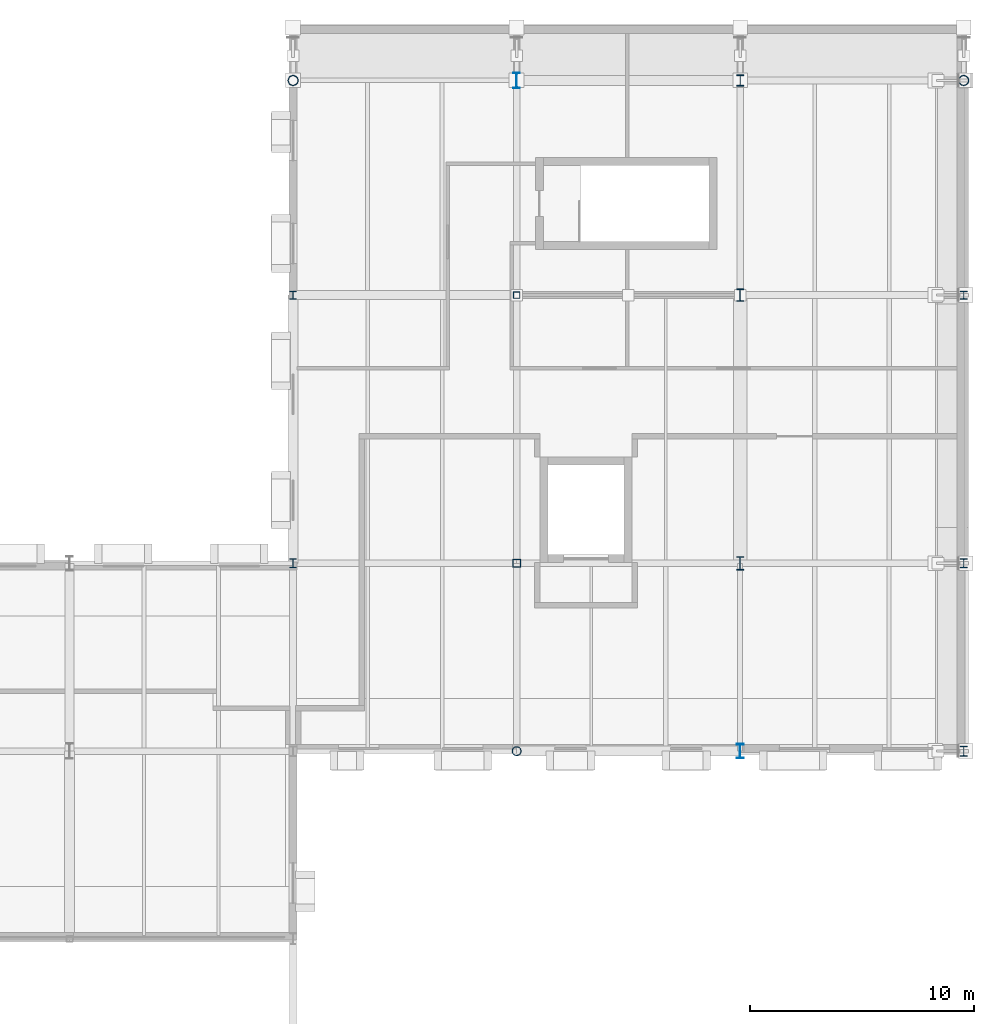
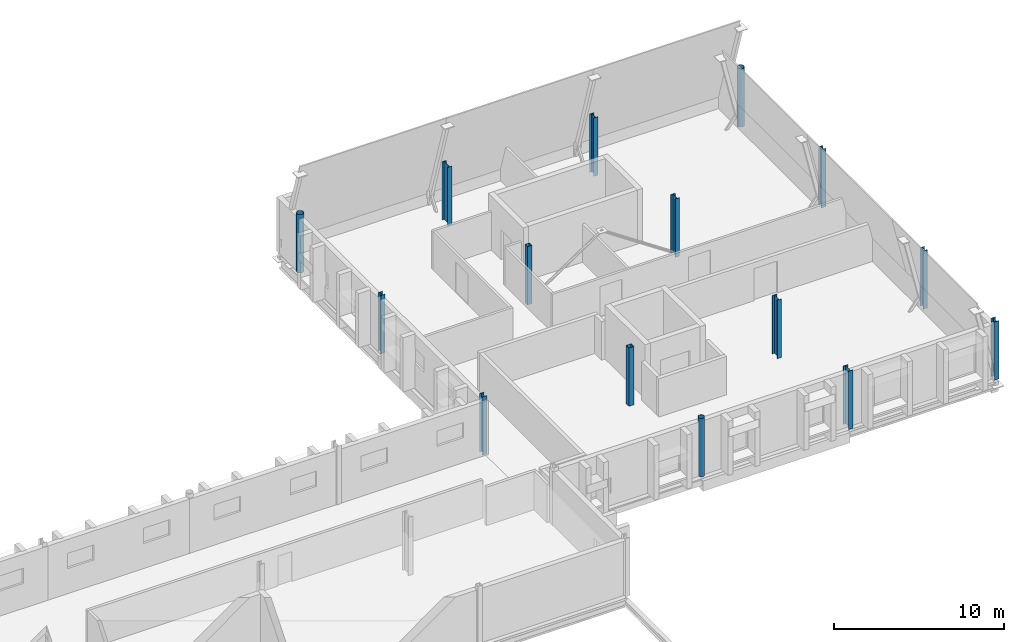
# One storey, part 18 of 90: 15 columns.
"""IFC4 building model written with IfcOpenShell, lengths in metres."""

from ifc_helpers import new_model, si_unit, direction, frame, origin, origin_2d, place, context, subcontext, project, spatial, hollow_rectangle, hollow_circle, i_section, extrude, material, material_profile, profile_set, type_object, element, save


model = new_model("IFC4")

# Units and contexts
model_context = context("Model", 3, precision=1e-05, world=origin(), true_north=direction((0.0, 1.0)))
body_context = subcontext(model_context, "Body", "Model", "MODEL_VIEW")
ifc_project = project(units=[si_unit("LENGTHUNIT", "METRE"), si_unit("AREAUNIT", "SQUARE_METRE"), si_unit("VOLUMEUNIT", "CUBIC_METRE"), si_unit("PLANEANGLEUNIT", "RADIAN"), si_unit("MASSUNIT", "GRAM", prefix="KILO")], contexts=[model_context])

# Site, building, storey
site_placement = place(None, origin())
site = spatial("IfcSite", under=ifc_project, at=site_placement, CompositionType="ELEMENT")
building_placement = place(site_placement, origin())
building = spatial("IfcBuilding", under=site, at=building_placement, Name="Zereglee Splitstone Museum", CompositionType="ELEMENT")
storey_placement = place(building_placement, frame((0.0, 0.0, 4.800048828125)))
storey = spatial("IfcBuildingStorey", under=building, at=storey_placement, Name="L01", CompositionType="ELEMENT", Elevation=4.800048828125)

# Columns
ifc_material_1 = material(Name="Steel S355J2H", Category="steel")
ifc_material_profile_1 = material_profile(ifc_material_1, hollow_circle(Radius=0.203125, WallThickness=0.02001953125, at=origin_2d()), Name="CHS 406.4x20")
ifc_profile_set_1 = profile_set([ifc_material_profile_1], Name="Steel S355J2H")
column_type_1 = type_object("IfcColumnType", Name="C-18", PredefinedType="COLUMN", material=ifc_profile_set_1)
column_1_placement = place(storey_placement, frame((306.0, 30.0, 0.0), z_axis=(0.0, 0.0, 1.0), x_axis=(1.0, 0.0, 0.0)))
element("IfcColumn", 1, at=column_1_placement, inside=storey, type_object=column_type_1, Name="Column 34/D L01", PredefinedType="COLUMN", context=body_context, shape_type="SweptSolid", body=[
    extrude(hollow_circle(Radius=0.203125, WallThickness=0.02001953125, at=origin_2d()), origin(), (0.0, 0.0, 1.0), 4.199951171875),
])
ifc_material_profile_2 = material_profile(ifc_material_1, hollow_circle(Radius=0.228515625, WallThickness=0.02001953125, at=origin_2d()), Name="CHS 457.0x20")
ifc_profile_set_2 = profile_set([ifc_material_profile_2], Name="Steel S355J2H")
column_type_2 = type_object("IfcColumnType", Name="C-17", PredefinedType="COLUMN", material=ifc_profile_set_2)
for number, where, z_axis, x_axis, name in (
    (2, (296.0, 60.0, 0.0), (0.0, 0.0, 1.0), (1.0, 0.0, 0.0), "Column 33/G L01"),
    (3, (326.0, 60.0, 0.0), (0.0, 0.0, 1.0), (1.0, 0.0, 0.0), "Column 36/G L01"),
):
    element("IfcColumn", number, at=place(storey_placement, frame(where, z_axis=z_axis, x_axis=x_axis)), inside=storey, type_object=column_type_2, Name=name, PredefinedType="COLUMN", context=body_context, shape_type="SweptSolid", body=[
        extrude(hollow_circle(Radius=0.228515625, WallThickness=0.02001953125, at=origin_2d()), origin(), (0.0, 0.0, 1.0), 4.199951171875),
    ])
ifc_material_2 = material(Name="Steel S355J2", Category="steel")
ifc_material_profile_3 = material_profile(ifc_material_2, i_section(OverallWidth=0.300048828125, OverallDepth=0.360107421875, WebThickness=0.012451171875, FlangeThickness=0.0224609375, FilletRadius=0.027099609375, at=origin_2d()), Name="HE 360 B")
ifc_profile_set_3 = profile_set([ifc_material_profile_3], Name="Steel S355J2")
column_type_3 = type_object("IfcColumnType", Name="C-16", PredefinedType="COLUMN", material=ifc_profile_set_3)
for number, where, z_axis, x_axis, name in (
    (4, (296.0, 50.39990234375, 0.0), (0.0, 0.0, 1.0), (1.0, 0.0, 0.0), "Column 33/F L01"),
    (5, (326.0, 50.39990234375, 0.0), (0.0, 0.0, 1.0), (1.0, 0.0, 0.0), "Column 36/F L01"),
):
    element("IfcColumn", number, at=place(storey_placement, frame(where, z_axis=z_axis, x_axis=x_axis)), inside=storey, type_object=column_type_3, Name=name, PredefinedType="COLUMN", context=body_context, shape_type="SweptSolid", body=[
        extrude(i_section(OverallWidth=0.300048828125, OverallDepth=0.360107421875, WebThickness=0.012451171875, FlangeThickness=0.0224609375, FilletRadius=0.027099609375, at=origin_2d()), origin(), (0.0, 0.0, 1.0), 4.199951171875),
    ])
ifc_material_profile_4 = material_profile(ifc_material_2, i_section(OverallWidth=0.300048828125, OverallDepth=0.39990234375, WebThickness=0.013427734375, FlangeThickness=0.02392578125, FilletRadius=0.027099609375, at=origin_2d()), Name="HE 400 B")
ifc_profile_set_4 = profile_set([ifc_material_profile_4], Name="Steel S355J2")
column_type_4 = type_object("IfcColumnType", Name="C-15", PredefinedType="COLUMN", material=ifc_profile_set_4)
for number, where, z_axis, x_axis, name in (
    (6, (296.0, 38.39990234375, 0.0), (0.0, 0.0, 1.0), (1.0, 0.0, 0.0), "Column 33/E L01"),
    (7, (326.0, 38.39990234375, 0.0), (0.0, 0.0, 1.0), (1.0, 0.0, 0.0), "Column 36/E L01"),
):
    element("IfcColumn", number, at=place(storey_placement, frame(where, z_axis=z_axis, x_axis=x_axis)), inside=storey, type_object=column_type_4, Name=name, PredefinedType="COLUMN", context=body_context, shape_type="SweptSolid", body=[
        extrude(i_section(OverallWidth=0.300048828125, OverallDepth=0.39990234375, WebThickness=0.013427734375, FlangeThickness=0.02392578125, FilletRadius=0.027099609375, at=origin_2d()), origin(), (0.0, 0.0, 1.0), 4.199951171875),
    ])
ifc_material_profile_5 = material_profile(ifc_material_2, i_section(OverallWidth=0.300048828125, OverallDepth=0.449951171875, WebThickness=0.013916015625, FlangeThickness=0.02587890625, FilletRadius=0.027099609375, at=origin_2d()), Name="HE 450 B")
ifc_profile_set_5 = profile_set([ifc_material_profile_5], Name="Steel S355J2")
column_type_5 = type_object("IfcColumnType", Name="C-14", PredefinedType="COLUMN", material=ifc_profile_set_5)
column_2_placement = place(storey_placement, frame((326.0, 30.0, 0.0), z_axis=(0.0, 0.0, 1.0), x_axis=(1.0, 0.0, 0.0)))
element("IfcColumn", 8, at=column_2_placement, inside=storey, type_object=column_type_5, Name="Column 36/D L01", PredefinedType="COLUMN", context=body_context, shape_type="SweptSolid", body=[
    extrude(i_section(OverallWidth=0.300048828125, OverallDepth=0.449951171875, WebThickness=0.013916015625, FlangeThickness=0.02587890625, FilletRadius=0.027099609375, at=origin_2d()), origin(), (0.0, 0.0, 1.0), 4.199951171875),
])
ifc_material_profile_6 = material_profile(ifc_material_2, i_section(OverallWidth=0.300048828125, OverallDepth=0.5, WebThickness=0.014404296875, FlangeThickness=0.028076171875, FilletRadius=0.027099609375, at=origin_2d()), Name="HE 500 B")
ifc_profile_set_6 = profile_set([ifc_material_profile_6], Name="Steel S355J2")
column_type_6 = type_object("IfcColumnType", Name="C-13", PredefinedType="COLUMN", material=ifc_profile_set_6)
column_3_placement = place(storey_placement, frame((316.0, 60.0, 0.0), z_axis=(0.0, 0.0, 1.0), x_axis=(1.0, 0.0, 0.0)))
element("IfcColumn", 9, at=column_3_placement, inside=storey, type_object=column_type_6, Name="Column 35/G L01", PredefinedType="COLUMN", context=body_context, shape_type="SweptSolid", body=[
    extrude(i_section(OverallWidth=0.300048828125, OverallDepth=0.5, WebThickness=0.014404296875, FlangeThickness=0.028076171875, FilletRadius=0.027099609375, at=origin_2d()), origin(), (0.0, 0.0, 1.0), 4.199951171875),
])
ifc_material_profile_7 = material_profile(ifc_material_2, i_section(OverallWidth=0.300048828125, OverallDepth=0.550048828125, WebThickness=0.014892578125, FlangeThickness=0.029052734375, FilletRadius=0.027099609375, at=origin_2d()), Name="HE 550 B")
ifc_profile_set_7 = profile_set([ifc_material_profile_7], Name="Steel S355J2")
column_type_7 = type_object("IfcColumnType", Name="C-12", PredefinedType="COLUMN", material=ifc_profile_set_7)
column_4_placement = place(storey_placement, frame((316.0, 50.39990234375, 0.0), z_axis=(0.0, 0.0, 1.0), x_axis=(1.0, 0.0, 0.0)))
element("IfcColumn", 10, at=column_4_placement, inside=storey, type_object=column_type_7, Name="Column 35/F L01", PredefinedType="COLUMN", context=body_context, shape_type="SweptSolid", body=[
    extrude(i_section(OverallWidth=0.300048828125, OverallDepth=0.550048828125, WebThickness=0.014892578125, FlangeThickness=0.029052734375, FilletRadius=0.027099609375, at=origin_2d()), origin(), (0.0, 0.0, 1.0), 4.199951171875),
])
ifc_material_profile_8 = material_profile(ifc_material_2, i_section(OverallWidth=0.300048828125, OverallDepth=0.60009765625, WebThickness=0.015380859375, FlangeThickness=0.030029296875, FilletRadius=0.027099609375, at=origin_2d()), Name="HE 600 B")
ifc_profile_set_8 = profile_set([ifc_material_profile_8], Name="Steel S355J2")
column_type_8 = type_object("IfcColumnType", Name="C-11", PredefinedType="COLUMN", material=ifc_profile_set_8)
column_5_placement = place(storey_placement, frame((316.0, 38.39990234375, 0.0), z_axis=(0.0, 0.0, 1.0), x_axis=(1.0, 0.0, 0.0)))
element("IfcColumn", 11, at=column_5_placement, inside=storey, type_object=column_type_8, Name="Column 35/E L01", PredefinedType="COLUMN", context=body_context, shape_type="SweptSolid", body=[
    extrude(i_section(OverallWidth=0.300048828125, OverallDepth=0.60009765625, WebThickness=0.015380859375, FlangeThickness=0.030029296875, FilletRadius=0.027099609375, at=origin_2d()), origin(), (0.0, 0.0, 1.0), 4.199951171875),
])
ifc_material_profile_9 = material_profile(ifc_material_2, i_section(OverallWidth=0.300048828125, OverallDepth=0.64990234375, WebThickness=0.01611328125, FlangeThickness=0.031005859375, FilletRadius=0.027099609375, at=origin_2d()), Name="HE 650 B")
ifc_profile_set_9 = profile_set([ifc_material_profile_9], Name="Steel S355J2")
column_type_9 = type_object("IfcColumnType", Name="C-10", PredefinedType="COLUMN", material=ifc_profile_set_9)
column_6_placement = place(storey_placement, frame((316.0, 30.0, 0.0), z_axis=(0.0, 0.0, 1.0), x_axis=(1.0, 0.0, 0.0)))
element("IfcColumn", 12, at=column_6_placement, inside=storey, type_object=column_type_9, Name="Column 35/D L01", PredefinedType="COLUMN", context=body_context, shape_type="SweptSolid", body=[
    extrude(i_section(OverallWidth=0.300048828125, OverallDepth=0.64990234375, WebThickness=0.01611328125, FlangeThickness=0.031005859375, FilletRadius=0.027099609375, at=origin_2d()), origin(), (0.0, 0.0, 1.0), 4.199951171875),
])
ifc_material_profile_10 = material_profile(ifc_material_2, i_section(OverallWidth=0.300048828125, OverallDepth=0.699951171875, WebThickness=0.01708984375, FlangeThickness=0.031982421875, FilletRadius=0.027099609375, at=origin_2d()), Name="HE 700 B")
ifc_profile_set_10 = profile_set([ifc_material_profile_10], Name="Steel S355J2")
column_type_10 = type_object("IfcColumnType", Name="C-09", PredefinedType="COLUMN", material=ifc_profile_set_10)
column_7_placement = place(storey_placement, frame((306.0, 60.0, 0.0), z_axis=(0.0, 0.0, 1.0), x_axis=(1.0, 0.0, 0.0)))
element("IfcColumn", 13, at=column_7_placement, inside=storey, type_object=column_type_10, Name="Column 34/G L01", PredefinedType="COLUMN", context=body_context, shape_type="SweptSolid", body=[
    extrude(i_section(OverallWidth=0.300048828125, OverallDepth=0.699951171875, WebThickness=0.01708984375, FlangeThickness=0.031982421875, FilletRadius=0.027099609375, at=origin_2d()), origin(), (0.0, 0.0, 1.0), 4.199951171875),
])
ifc_material_profile_11 = material_profile(ifc_material_1, hollow_rectangle(XDim=0.300048828125, YDim=0.300048828125, WallThickness=0.01611328125, at=origin_2d()), Name="SHS 300x300x16")
ifc_profile_set_11 = profile_set([ifc_material_profile_11], Name="Steel S355J2H")
column_type_11 = type_object("IfcColumnType", Name="C-20", PredefinedType="COLUMN", material=ifc_profile_set_11)
column_8_placement = place(storey_placement, frame((306.0, 50.39990234375, 0.0), z_axis=(0.0, 0.0, 1.0), x_axis=(1.0, 0.0, 0.0)))
element("IfcColumn", 14, at=column_8_placement, inside=storey, type_object=column_type_11, Name="Column 34/F L01", PredefinedType="COLUMN", context=body_context, shape_type="SweptSolid", body=[
    extrude(hollow_rectangle(XDim=0.300048828125, YDim=0.300048828125, WallThickness=0.01611328125, at=origin_2d()), origin(), (0.0, 0.0, 1.0), 4.199951171875),
])
ifc_material_profile_12 = material_profile(ifc_material_1, hollow_rectangle(XDim=0.35009765625, YDim=0.35009765625, WallThickness=0.01611328125, at=origin_2d()), Name="SHS 350x350x16")
ifc_profile_set_12 = profile_set([ifc_material_profile_12], Name="Steel S355J2H")
column_type_12 = type_object("IfcColumnType", Name="C-19", PredefinedType="COLUMN", material=ifc_profile_set_12)
column_9_placement = place(storey_placement, frame((306.0, 38.39990234375, 0.0), z_axis=(0.0, 0.0, 1.0), x_axis=(1.0, 0.0, 0.0)))
element("IfcColumn", 15, at=column_9_placement, inside=storey, type_object=column_type_12, Name="Column 34/E L01", PredefinedType="COLUMN", context=body_context, shape_type="SweptSolid", body=[
    extrude(hollow_rectangle(XDim=0.35009765625, YDim=0.35009765625, WallThickness=0.01611328125, at=origin_2d()), origin(), (0.0, 0.0, 1.0), 4.199951171875),
])

save(model, "model.ifc")
